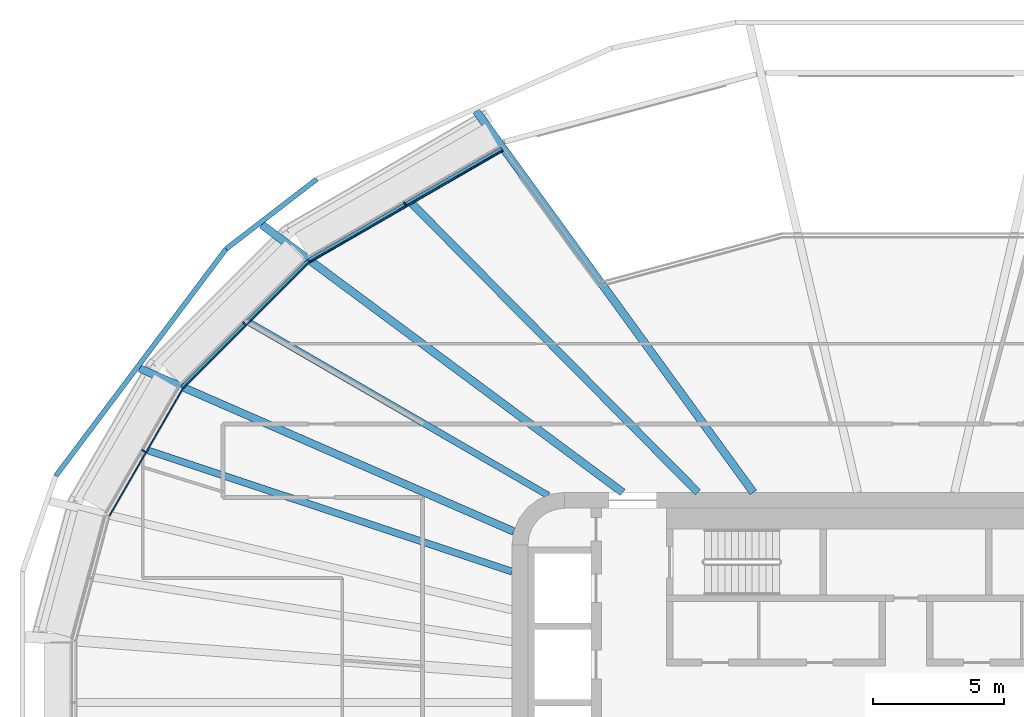
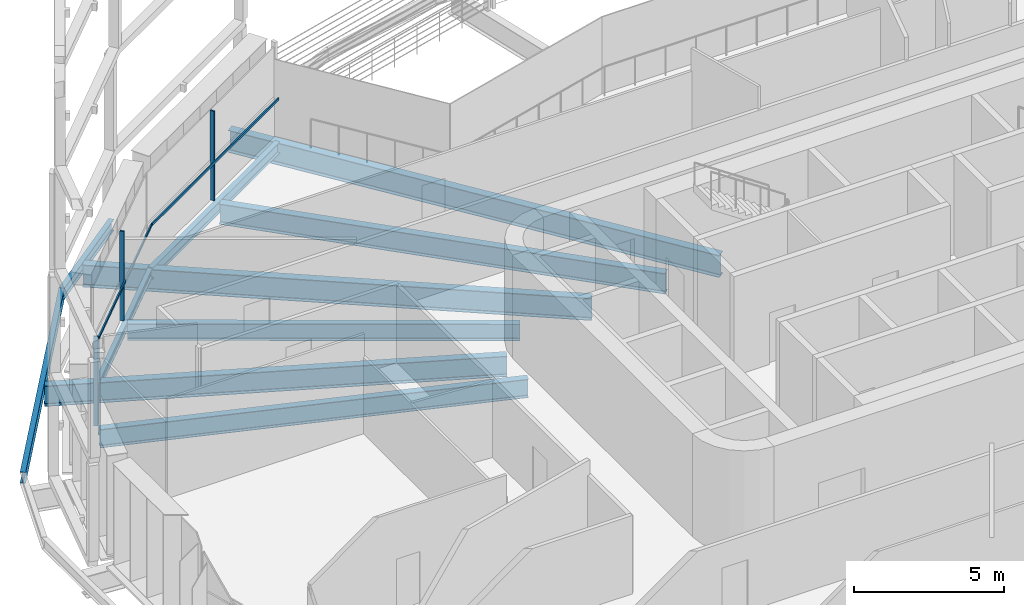
# One storey, part 7 of 25: 10 beams, 6 members, 3 elements without a shape of their own.
"""IFC4 building model written with IfcOpenShell, lengths in metres."""

from ifc_helpers import new_model, si_unit, direction, frame, origin, origin_2d, place, context, subcontext, project, spatial, rectangle, i_section, extrude, material, layer, layer_set, material_profile, profile_set, type_object, element, aggregate, save


model = new_model("IFC4")

# Units and contexts
model_context = context("Model", 3, precision=1e-05, world=origin(), true_north=direction((0.0, 1.0)))
body_context = subcontext(model_context, "Body", "Model", "MODEL_VIEW")
ifc_project = project(units=[si_unit("LENGTHUNIT", "METRE"), si_unit("AREAUNIT", "SQUARE_METRE"), si_unit("VOLUMEUNIT", "CUBIC_METRE"), si_unit("PLANEANGLEUNIT", "RADIAN"), si_unit("MASSUNIT", "GRAM", prefix="KILO")], contexts=[model_context])

# Site, building, storey
site_placement = place(None, origin())
site = spatial("IfcSite", under=ifc_project, at=site_placement, CompositionType="ELEMENT")
building_placement = place(site_placement, origin())
building = spatial("IfcBuilding", under=site, at=building_placement, Name="Sahrelin Media Tower", CompositionType="ELEMENT")
storey_placement = place(building_placement, frame((0.0, 0.0, 127.199951171875)))
storey = spatial("IfcBuildingStorey", under=building, at=storey_placement, Name="L25", CompositionType="ELEMENT", Elevation=127.199951171875)

# Beams
ifc_material_1 = material(Name="Steel S355", Category="steel")
ifc_material_profile_1 = material_profile(ifc_material_1, i_section(OverallWidth=0.17138671875, OverallDepth=0.35498046875, WebThickness=0.00732421875, FlangeThickness=0.011474609375, FilletRadius=0.01025390625, at=origin_2d()), Name="UB 356x171x51")
ifc_profile_set_1 = profile_set([ifc_material_profile_1], Name="Steel S355")
beam_type_1 = type_object("IfcBeamType", Name="Edge beam EB3", PredefinedType="BEAM", material=ifc_profile_set_1)
beam_1_placement = place(storey_placement, frame((-27.5546875, 11.990478515625, -0.327392578125), z_axis=(0.707088830897, 0.70712473102, 0.0), x_axis=(-0.70712473102, 0.707088830897, 0.0)))
element("IfcBeam", 1, at=beam_1_placement, inside=storey, type_object=beam_type_1, Name="Edge beam L25-16", PredefinedType="BEAM", context=body_context, shape_type="SweptSolid", body=[
    extrude(i_section(OverallWidth=0.17138671875, OverallDepth=0.35498046875, WebThickness=0.00732421875, FlangeThickness=0.011474609375, FilletRadius=0.01025390625, at=origin_2d()), origin(), (0.0, 0.0, 1.0), 6.800537109375),
])
ifc_material_profile_2 = material_profile(ifc_material_1, i_section(OverallWidth=0.1904296875, OverallDepth=0.45703125, WebThickness=0.009033203125, FlangeThickness=0.014404296875, FilletRadius=0.01025390625, at=origin_2d()), Name="UB 457x191x74")
ifc_profile_set_2 = profile_set([ifc_material_profile_2], Name="Steel S355")
beam_type_2 = type_object("IfcBeamType", Name="Edge beam EB5", PredefinedType="BEAM", material=ifc_profile_set_2)
beam_2_placement = place(storey_placement, frame((-22.72314453125, 16.81689453125, -0.37841796875), z_axis=(0.866031904094, 0.499988740965, 0.0), x_axis=(-0.499988740965, 0.866031904094, 0.0)))
element("IfcBeam", 2, at=beam_2_placement, inside=storey, type_object=beam_type_2, Name="Edge beam L25-17", PredefinedType="BEAM", context=body_context, shape_type="SweptSolid", body=[
    extrude(i_section(OverallWidth=0.1904296875, OverallDepth=0.45703125, WebThickness=0.009033203125, FlangeThickness=0.014404296875, FilletRadius=0.01025390625, at=origin_2d()), origin(), (0.0, 0.0, 1.0), 8.491943359375),
])

# Curtain wall, member
ifc_material_2 = material(Name="Champagne anodised aluminium 6063-T6", Category="aluminium")
ifc_layer = layer(ifc_material_2, 0.14990234375)
ifc_layer_set = layer_set([ifc_layer], Name="Tower ribbon curtain wall")
curtain_wall_type = type_object("IfcCurtainWallType", Name="Tower ribbon curtain wall", PredefinedType="NOTDEFINED", material=ifc_layer_set)
curtain_wall_1_placement = place(storey_placement, frame((-19.12109375, 19.069580078125, 0.0), z_axis=(0.0, 0.0, 1.0), x_axis=(1.0, 0.0, 0.0)))
curtain_wall_1 = element("IfcCurtainWall", 3, at=curtain_wall_1_placement, inside=storey, type_object=curtain_wall_type, Name="L25:CW:L25-08", PredefinedType="NOTDEFINED")
ifc_material_profile_3 = material_profile(ifc_material_2, rectangle(XDim=0.06005859375, YDim=0.14990234375, at=origin_2d()), Name="Mullion 60x150")
ifc_profile_set_3 = profile_set([ifc_material_profile_3], Name="Champagne anodised aluminium 6063-T6")
member_type_1 = type_object("IfcMemberType", Name="Mullion 60x150 CW1", PredefinedType="MULLION", material=ifc_profile_set_3)
member_1_placement = place(storey_placement, frame((-19.073486328125, 18.9873046875, 0.0), z_axis=(0.0, 0.0, 1.0), x_axis=(-0.866028021766, -0.499995465495, 0.0)))
member_1 = element("IfcMember", 4, at=member_1_placement, type_object=member_type_1, Name="L25:CWM:L25-08", PredefinedType="MULLION", context=body_context, shape_type="SweptSolid", body=[
    extrude(rectangle(XDim=0.06005859375, YDim=0.14990234375, at=origin_2d()), origin(), (0.0, 0.0, 1.0), 3.648681640625),
])

curtain_wall_2_placement = place(storey_placement, frame((-25.25634765625, 14.5009765625, 0.0), z_axis=(0.0, 0.0, 1.0), x_axis=(1.0, 0.0, 0.0)))
curtain_wall_2 = element("IfcCurtainWall", 5, at=curtain_wall_2_placement, inside=storey, type_object=curtain_wall_type, Name="L25:CW:L25-09", PredefinedType="NOTDEFINED")
member_2_placement = place(storey_placement, frame((-25.189208984375, 14.433837890625, 0.0), z_axis=(0.0, 0.0, 1.0), x_axis=(-0.707099376343, -0.707114185953, 0.0)))
member_2 = element("IfcMember", 6, at=member_2_placement, type_object=member_type_1, Name="L25:CWM:L25-09", PredefinedType="MULLION", context=body_context, shape_type="SweptSolid", body=[
    extrude(rectangle(XDim=0.06005859375, YDim=0.14990234375, at=origin_2d()), origin(), (0.0, 0.0, 1.0), 3.648681640625),
])

curtain_wall_3_placement = place(storey_placement, frame((-29.098388671875, 9.6240234375, 0.0), z_axis=(0.0, 0.0, 1.0), x_axis=(1.0, 0.0, 0.0)))
curtain_wall_3 = element("IfcCurtainWall", 7, at=curtain_wall_3_placement, inside=storey, type_object=curtain_wall_type, Name="L25:CW:L25-10", PredefinedType="NOTDEFINED")
member_3_placement = place(storey_placement, frame((-29.01611328125, 9.57666015625, 0.0), z_axis=(0.0, 0.0, 1.0), x_axis=(-0.4999984885, -0.866026276448, 0.0)))
member_3 = element("IfcMember", 8, at=member_3_placement, type_object=member_type_1, Name="L25:CWM:L25-10", PredefinedType="MULLION", context=body_context, shape_type="SweptSolid", body=[
    extrude(rectangle(XDim=0.06005859375, YDim=0.14990234375, at=origin_2d()), origin(), (0.0, 0.0, 1.0), 3.648681640625),
])

# Beams
ifc_material_profile_4 = material_profile(ifc_material_1, i_section(OverallWidth=0.291748046875, OverallDepth=0.8349609375, WebThickness=0.013916015625, FlangeThickness=0.018798828125, FilletRadius=0.017822265625, at=origin_2d()), Name="UB 838x292x176")
ifc_profile_set_4 = profile_set([ifc_material_profile_4], Name="Steel S355")
beam_type_3 = type_object("IfcBeamType", Name="Radial primary beam PB10", PredefinedType="BEAM", material=ifc_profile_set_4)
beam_3_placement = place(storey_placement, frame((-14.9326171875, 6.51171875, -0.5673828125), z_axis=(-0.91664061464, 0.399712376081, 0.0), x_axis=(-0.399712376081, -0.91664061464, 0.0)))
element("IfcBeam", 9, at=beam_3_placement, inside=storey, type_object=beam_type_3, Name="Radial beam L25-10", PredefinedType="BEAM", context=body_context, shape_type="SweptSolid", body=[
    extrude(i_section(OverallWidth=0.291748046875, OverallDepth=0.8349609375, WebThickness=0.013916015625, FlangeThickness=0.018798828125, FilletRadius=0.017822265625, at=origin_2d()), origin(), (0.0, 0.0, 1.0), 15.537841796875),
])
ifc_material_profile_5 = material_profile(ifc_material_1, i_section(OverallWidth=0.30322265625, OverallDepth=0.903076171875, WebThickness=0.01513671875, FlangeThickness=0.020263671875, FilletRadius=0.01904296875, at=origin_2d()), Name="UB 914x305x201")
ifc_profile_set_5 = profile_set([ifc_material_profile_5], Name="Steel S355")
beam_type_4 = type_object("IfcBeamType", Name="Radial primary beam PB11", PredefinedType="BEAM", material=ifc_profile_set_5)
beam_4_placement = place(storey_placement, frame((-5.81396484375, 8.0, -0.6015625), z_axis=(-0.587892585931, 0.808939001042, 0.0), x_axis=(-0.808939001042, -0.587892585931, 0.0)))
element("IfcBeam", 10, at=beam_4_placement, inside=storey, type_object=beam_type_4, Name="Radial beam L25-08", PredefinedType="BEAM", context=body_context, shape_type="SweptSolid", body=[
    extrude(i_section(OverallWidth=0.30322265625, OverallDepth=0.903076171875, WebThickness=0.01513671875, FlangeThickness=0.020263671875, FilletRadius=0.01904296875, at=origin_2d()), origin(), (0.0, 0.0, 1.0), 17.945556640625),
])
beam_5_placement = place(storey_placement, frame((-10.787109375, 8.0, -0.6015625), z_axis=(-0.803218064417, 0.595685102209, 0.0), x_axis=(-0.595685102209, -0.803218064417, 0.0)))
element("IfcBeam", 11, at=beam_5_placement, inside=storey, type_object=beam_type_4, Name="Radial beam L25-09", PredefinedType="BEAM", context=body_context, shape_type="SweptSolid", body=[
    extrude(i_section(OverallWidth=0.30322265625, OverallDepth=0.903076171875, WebThickness=0.01513671875, FlangeThickness=0.020263671875, FilletRadius=0.01904296875, at=origin_2d()), origin(), (0.0, 0.0, 1.0), 17.1083984375),
])
ifc_material_profile_6 = material_profile(ifc_material_1, i_section(OverallWidth=0.291748046875, OverallDepth=0.8349609375, WebThickness=0.013916015625, FlangeThickness=0.018798828125, FilletRadius=0.017822265625, at=origin_2d()), Name="UB 838x292x176")
ifc_profile_set_6 = profile_set([ifc_material_profile_6], Name="Steel S355")
beam_type_5 = type_object("IfcBeamType", Name="Radial secondary beam SB10", PredefinedType="BEAM", material=ifc_profile_set_6)
beam_6_placement = place(storey_placement, frame((-7.923095703125, 8.0, -0.5673828125), z_axis=(-0.703676841458, 0.710520163539, 0.0), x_axis=(-0.710520163539, -0.703676841458, 0.0)))
element("IfcBeam", 12, at=beam_6_placement, inside=storey, type_object=beam_type_5, Name="Secondary beam L25-04", PredefinedType="BEAM", context=body_context, shape_type="SweptSolid", body=[
    extrude(i_section(OverallWidth=0.291748046875, OverallDepth=0.8349609375, WebThickness=0.013916015625, FlangeThickness=0.018798828125, FilletRadius=0.017822265625, at=origin_2d()), origin(), (0.0, 0.0, 1.0), 15.447509765625),
])
ifc_material_profile_7 = material_profile(ifc_material_1, i_section(OverallWidth=0.2529296875, OverallDepth=0.677978515625, WebThickness=0.01171875, FlangeThickness=0.01611328125, FilletRadius=0.01513671875, at=origin_2d()), Name="UB 686x254x125")
ifc_profile_set_7 = profile_set([ifc_material_profile_7], Name="Steel S355")
beam_type_6 = type_object("IfcBeamType", Name="Radial secondary beam SB8", PredefinedType="BEAM", material=ifc_profile_set_7)
beam_7_placement = place(storey_placement, frame((-13.626708984375, 7.88671875, -0.48876953125), z_axis=(-0.86549046437, 0.50092539972, 0.0), x_axis=(-0.50092539972, -0.86549046437, 0.0)))
element("IfcBeam", 13, at=beam_7_placement, inside=storey, type_object=beam_type_6, Name="Secondary beam L25-05", PredefinedType="BEAM", context=body_context, shape_type="SweptSolid", body=[
    extrude(i_section(OverallWidth=0.2529296875, OverallDepth=0.677978515625, WebThickness=0.01171875, FlangeThickness=0.01611328125, FilletRadius=0.01513671875, at=origin_2d()), origin(), (0.0, 0.0, 1.0), 13.107666015625),
])
ifc_material_profile_8 = material_profile(ifc_material_1, i_section(OverallWidth=0.26513671875, OverallDepth=0.75390625, WebThickness=0.0126953125, FlangeThickness=0.017578125, FilletRadius=0.0166015625, at=origin_2d()), Name="UB 762x267x147")
ifc_profile_set_8 = profile_set([ifc_material_profile_8], Name="Steel S355")
beam_type_7 = type_object("IfcBeamType", Name="Radial secondary beam SB9", PredefinedType="BEAM", material=ifc_profile_set_8)
beam_8_placement = place(storey_placement, frame((-15.0, 4.989013671875, -0.52685546875), z_axis=(-0.948892219303, 0.315600310752, 0.0), x_axis=(-0.315600310752, -0.948892219303, 0.0)))
element("IfcBeam", 14, at=beam_8_placement, inside=storey, type_object=beam_type_7, Name="Secondary beam L25-06", PredefinedType="BEAM", context=body_context, shape_type="SweptSolid", body=[
    extrude(i_section(OverallWidth=0.26513671875, OverallDepth=0.75390625, WebThickness=0.0126953125, FlangeThickness=0.017578125, FilletRadius=0.0166015625, at=origin_2d()), origin(), (0.0, 0.0, 1.0), 14.5927734375),
])
ifc_material_profile_9 = material_profile(ifc_material_1, i_section(OverallWidth=0.1904296875, OverallDepth=0.45703125, WebThickness=0.009033203125, FlangeThickness=0.014404296875, FilletRadius=0.01025390625, at=origin_2d()), Name="UB 457x191x74")
ifc_profile_set_9 = profile_set([ifc_material_profile_9], Name="Steel S355")
beam_type_8 = type_object("IfcBeamType", Name="Tie chord TC5", PredefinedType="BEAM", material=ifc_profile_set_9)
beam_9_placement = place(storey_placement, frame((-22.43408203125, 19.923583984375, -0.37841796875), z_axis=(-0.792463481289, -0.609919364198, 0.0), x_axis=(0.609919364198, -0.792463481289, 0.0)))
element("IfcBeam", 15, at=beam_9_placement, inside=storey, type_object=beam_type_8, Name="Tie chord L25-09", PredefinedType="BEAM", context=body_context, shape_type="SweptSolid", body=[
    extrude(i_section(OverallWidth=0.1904296875, OverallDepth=0.45703125, WebThickness=0.009033203125, FlangeThickness=0.014404296875, FilletRadius=0.01025390625, at=origin_2d()), origin(), (0.0, 0.0, 1.0), 4.354736328125),
])
beam_10_placement = place(storey_placement, frame((-25.885009765625, 17.267578125, -0.37841796875), z_axis=(-0.600050592143, -0.799962053393, 0.0), x_axis=(0.799962053393, -0.600050592143, 0.0)))
element("IfcBeam", 16, at=beam_10_placement, inside=storey, type_object=beam_type_8, Name="Tie chord L25-10", PredefinedType="BEAM", context=body_context, shape_type="SweptSolid", body=[
    extrude(i_section(OverallWidth=0.1904296875, OverallDepth=0.45703125, WebThickness=0.009033203125, FlangeThickness=0.014404296875, FilletRadius=0.01025390625, at=origin_2d()), origin(), (0.0, 0.0, 1.0), 10.809326171875),
])

# Member
ifc_material_profile_10 = material_profile(ifc_material_2, rectangle(XDim=0.050048828125, YDim=0.10009765625, at=origin_2d()), Name="Transom 50x100")
ifc_profile_set_10 = profile_set([ifc_material_profile_10], Name="Champagne anodised aluminium 6063-T6")
member_type_2 = type_object("IfcMemberType", Name="Transom 50x100 CW1", PredefinedType="USERDEFINED", material=ifc_profile_set_10)
member_4_placement = place(storey_placement, frame((-15.360107421875, 21.015869140625, 1.60009765625), z_axis=(-0.866023641037, -0.500003053156, 0.0), x_axis=(0.500003053156, -0.866023641037, 0.0)))
member_4 = element("IfcMember", 17, at=member_4_placement, type_object=member_type_2, Name="L25:CWT:L25-08", ObjectType="TRANSOM", PredefinedType="USERDEFINED", context=body_context, shape_type="SweptSolid", body=[
    extrude(rectangle(XDim=0.050048828125, YDim=0.10009765625, at=origin_2d()), origin(), (0.0, 0.0, 1.0), 8.46044921875),
])

aggregate(curtain_wall_1, [member_1, member_4])

member_5_placement = place(storey_placement, frame((-22.725341796875, 16.75634765625, 1.60009765625), z_axis=(-0.707106781187, -0.707106781187, 0.0), x_axis=(0.707106781187, -0.707106781187, 0.0)))
member_5 = element("IfcMember", 18, at=member_5_placement, type_object=member_type_2, Name="L25:CWT:L25-09", ObjectType="TRANSOM", PredefinedType="USERDEFINED", context=body_context, shape_type="SweptSolid", body=[
    extrude(rectangle(XDim=0.050048828125, YDim=0.10009765625, at=origin_2d()), origin(), (0.0, 0.0, 1.0), 6.76904296875),
])

aggregate(curtain_wall_2, [member_2, member_5])

member_6_placement = place(storey_placement, frame((-27.541015625, 11.931640625, 1.60009765625), z_axis=(-0.500001483402, -0.86602454734, 0.0), x_axis=(0.86602454734, -0.500001483402, 0.0)))
member_6 = element("IfcMember", 19, at=member_6_placement, type_object=member_type_2, Name="L25:CWT:L25-10", ObjectType="TRANSOM", PredefinedType="USERDEFINED", context=body_context, shape_type="SweptSolid", body=[
    extrude(rectangle(XDim=0.050048828125, YDim=0.10009765625, at=origin_2d()), origin(), (0.0, 0.0, 1.0), 5.55419921875),
])

aggregate(curtain_wall_3, [member_3, member_6])

save(model, "model.ifc")
